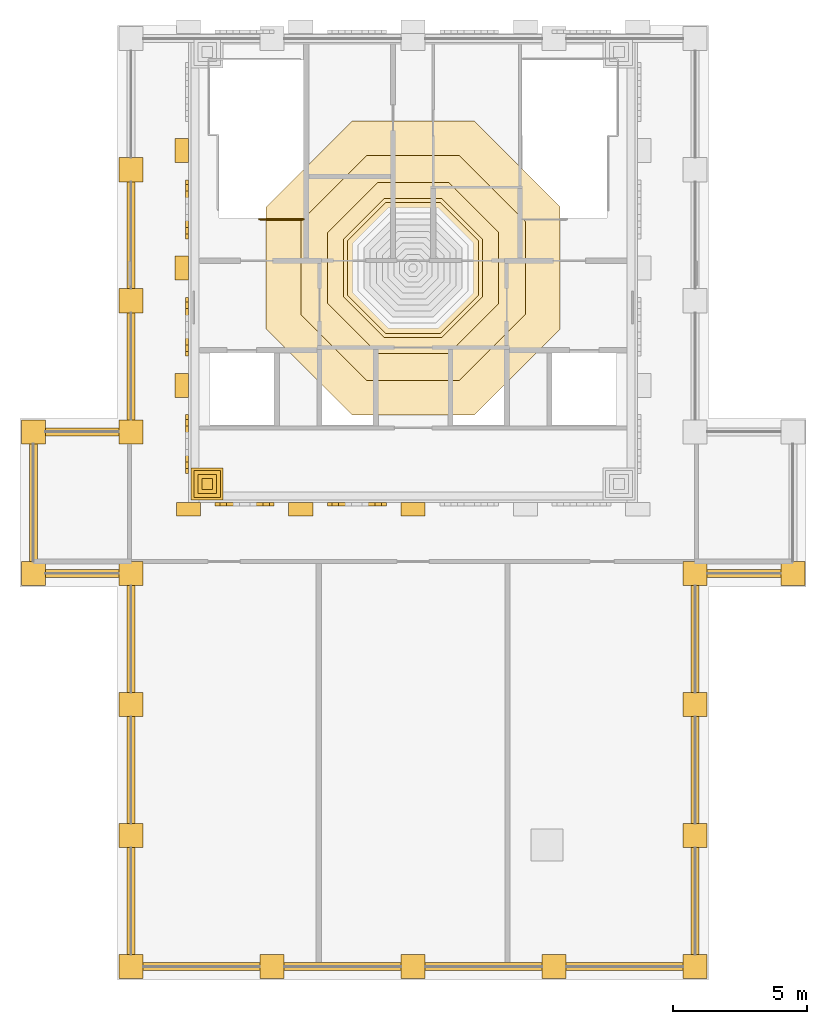
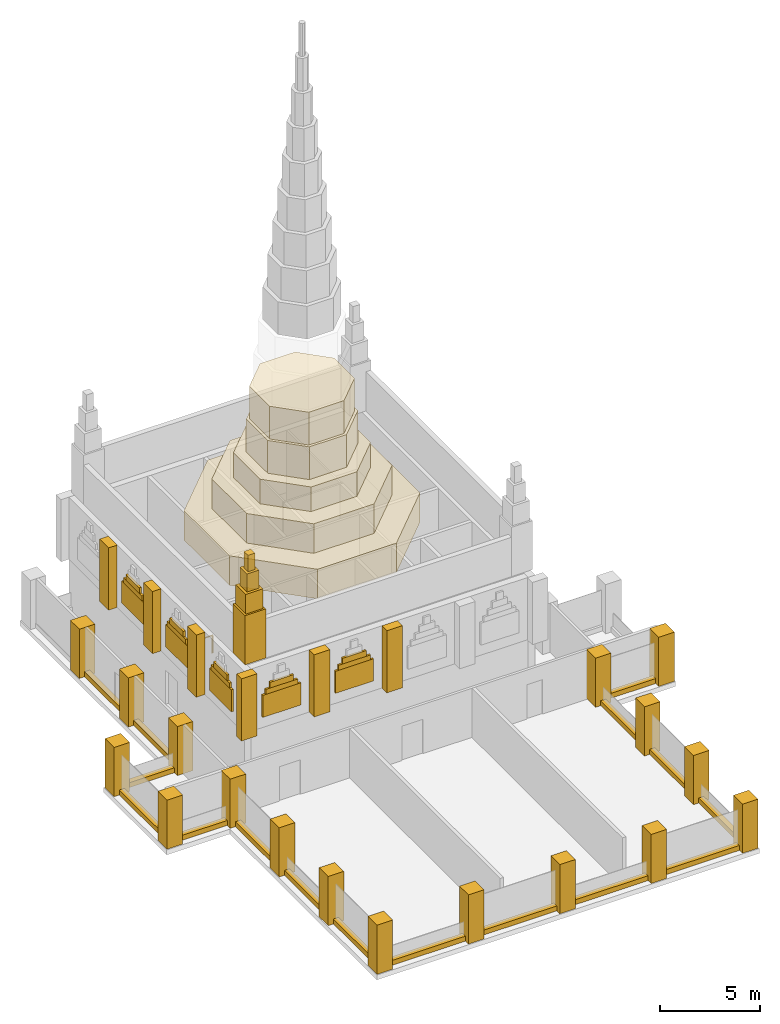
# One storey, part 3 of 6: 63 coverings, 2 railings.
"""IFC4 building model written with IfcOpenShell, lengths in metres."""

from ifc_helpers import new_model, si_unit, direction, frame, origin, origin_2d, place, context, subcontext, project, spatial, polyline, rectangle, outline, extrude, material, type_object, element, save


model = new_model("IFC4")

# Units and contexts
model_context = context("Model", 3, precision=1e-05, world=origin(), true_north=direction((0.0, 1.0)))
body_context = subcontext(model_context, "Body", "Model", "MODEL_VIEW")
ifc_project = project(units=[si_unit("LENGTHUNIT", "METRE"), si_unit("AREAUNIT", "SQUARE_METRE"), si_unit("VOLUMEUNIT", "CUBIC_METRE"), si_unit("PLANEANGLEUNIT", "RADIAN"), si_unit("MASSUNIT", "GRAM", prefix="KILO")], contexts=[model_context])

# Site, building, storey
site_placement = place(None, origin())
site = spatial("IfcSite", under=ifc_project, at=site_placement, CompositionType="ELEMENT")
building_placement = place(site_placement, origin())
building = spatial("IfcBuilding", under=site, at=building_placement, Name="Vermilion Ogive Tower", CompositionType="ELEMENT")
storey_placement = place(building_placement, frame((0.0, 0.0, 302.85009765625)))
storey = spatial("IfcBuildingStorey", under=building, at=storey_placement, Name="RF", CompositionType="ELEMENT", Elevation=302.85009765625)

# Coverings
ifc_material_1 = material(Name="Stone cladding", Category="masonry")
covering_type_1 = type_object("IfcCoveringType", Name="Core buttress pier", PredefinedType="CLADDING", material=ifc_material_1)
covering_1_placement = place(storey_placement, frame((0.0, 0.0, 3.0)))
element("IfcCovering", 1, at=covering_1_placement, inside=storey, type_object=covering_type_1, Name="Buttress pier RF S1", PredefinedType="CLADDING", context=body_context, shape_type="SweptSolid", body=[
    extrude(outline(polyline([(-7.949951171875, 4.199951171875), (-8.85009765625, 4.199951171875), (-8.85009765625, 3.699951171875), (-7.949951171875, 3.699951171875), (-7.949951171875, 4.199951171875)])), origin(), (0.0, 0.0, 1.0), 3.7998046875),
])
covering_2_placement = place(storey_placement, frame((0.0, 0.0, 3.0)))
element("IfcCovering", 2, at=covering_2_placement, inside=storey, type_object=covering_type_1, Name="Buttress pier RF S2", PredefinedType="CLADDING", context=body_context, shape_type="SweptSolid", body=[
    extrude(outline(polyline([(-3.75, 4.199951171875), (-4.64990234375, 4.199951171875), (-4.64990234375, 3.699951171875), (-3.75, 3.699951171875), (-3.75, 4.199951171875)])), origin(), (0.0, 0.0, 1.0), 3.7998046875),
])
covering_3_placement = place(storey_placement, frame((0.0, 0.0, 3.0)))
element("IfcCovering", 3, at=covering_3_placement, inside=storey, type_object=covering_type_1, Name="Buttress pier RF S3", PredefinedType="CLADDING", context=body_context, shape_type="SweptSolid", body=[
    extrude(outline(polyline([(0.449951171875, 4.199951171875), (-0.449951171875, 4.199951171875), (-0.449951171875, 3.699951171875), (0.449951171875, 3.699951171875), (0.449951171875, 4.199951171875)])), origin(), (0.0, 0.0, 1.0), 3.7998046875),
])
covering_4_placement = place(storey_placement, frame((0.0, 0.0, 3.0)))
element("IfcCovering", 4, at=covering_4_placement, inside=storey, type_object=covering_type_1, Name="Buttress pier RF W1", PredefinedType="CLADDING", context=body_context, shape_type="SweptSolid", body=[
    extrude(outline(polyline([(-8.39990234375, 8.137451171875), (-8.39990234375, 9.03759765625), (-8.89990234375, 9.03759765625), (-8.89990234375, 8.137451171875), (-8.39990234375, 8.137451171875)])), origin(), (0.0, 0.0, 1.0), 3.7998046875),
])
covering_5_placement = place(storey_placement, frame((0.0, 0.0, 3.0)))
element("IfcCovering", 5, at=covering_5_placement, inside=storey, type_object=covering_type_1, Name="Buttress pier RF W2", PredefinedType="CLADDING", context=body_context, shape_type="SweptSolid", body=[
    extrude(outline(polyline([(-8.39990234375, 12.52490234375), (-8.39990234375, 13.425048828125), (-8.89990234375, 13.425048828125), (-8.89990234375, 12.52490234375), (-8.39990234375, 12.52490234375)])), origin(), (0.0, 0.0, 1.0), 3.7998046875),
])
covering_6_placement = place(storey_placement, frame((0.0, 0.0, 3.0)))
element("IfcCovering", 6, at=covering_6_placement, inside=storey, type_object=covering_type_1, Name="Buttress pier RF W3", PredefinedType="CLADDING", context=body_context, shape_type="SweptSolid", body=[
    extrude(outline(polyline([(-8.39990234375, 16.91259765625), (-8.39990234375, 17.8125), (-8.89990234375, 17.8125), (-8.89990234375, 16.91259765625), (-8.39990234375, 16.91259765625)])), origin(), (0.0, 0.0, 1.0), 3.7998046875),
])
ifc_material_2 = material(Name="Stone cladding", Category="masonry")
covering_type_2 = type_object("IfcCoveringType", Name="Crown spire", PredefinedType="CLADDING", material=ifc_material_2)
covering_7_placement = place(storey_placement, frame((0.0, 0.0, 7.099853515625)))
element("IfcCovering", 7, at=covering_7_placement, inside=storey, type_object=covering_type_2, Name="Crown spire plinth 1", PredefinedType="CLADDING", context=body_context, shape_type="SweptSolid", body=[
    extrude(outline(polyline([(5.5, 15.253173828125), (2.2783203125, 18.47509765625), (-2.2783203125, 18.47509765625), (-5.5, 15.253173828125), (-5.5, 10.69677734375), (-2.2783203125, 7.47509765625), (2.2783203125, 7.47509765625), (5.5, 10.69677734375), (5.5, 15.253173828125)])), origin(), (0.0, 0.0, 1.0), 1.800048828125),
])
covering_8_placement = place(storey_placement, frame((0.0, 0.0, 8.89990234375)))
element("IfcCovering", 8, at=covering_8_placement, inside=storey, type_object=covering_type_2, Name="Crown spire plinth 2", PredefinedType="CLADDING", context=body_context, shape_type="SweptSolid", body=[
    extrude(outline(polyline([(4.199951171875, 14.714599609375), (1.73974609375, 17.175048828125), (-1.73974609375, 17.175048828125), (-4.199951171875, 14.714599609375), (-4.199951171875, 11.2353515625), (-1.73974609375, 8.77490234375), (1.73974609375, 8.77490234375), (4.199951171875, 11.2353515625), (4.199951171875, 14.714599609375)])), origin(), (0.0, 0.0, 1.0), 1.800048828125),
])
covering_9_placement = place(storey_placement, frame((0.0, 0.0, 10.699951171875)))
element("IfcCovering", 9, at=covering_9_placement, inside=storey, type_object=covering_type_2, Name="Crown spire plinth 3", PredefinedType="CLADDING", context=body_context, shape_type="SweptSolid", body=[
    extrude(outline(polyline([(3.199951171875, 14.300537109375), (1.325439453125, 16.175048828125), (-1.325439453125, 16.175048828125), (-3.199951171875, 14.300537109375), (-3.199951171875, 11.6494140625), (-1.325439453125, 9.77490234375), (1.325439453125, 9.77490234375), (3.199951171875, 11.6494140625), (3.199951171875, 14.300537109375)])), origin(), (0.0, 0.0, 1.0), 1.5),
])
covering_10_placement = place(storey_placement, frame((0.0, 0.0, 12.199951171875)))
element("IfcCovering", 10, at=covering_10_placement, inside=storey, type_object=covering_type_2, Name="Crown spire segment 1", PredefinedType="CLADDING", context=body_context, shape_type="SweptSolid", body=[
    extrude(outline(polyline([(2.60009765625, 14.052001953125), (1.076904296875, 15.574951171875), (-1.076904296875, 15.574951171875), (-2.60009765625, 14.052001953125), (-2.60009765625, 11.89794921875), (-1.076904296875, 10.375), (1.076904296875, 10.375), (2.60009765625, 11.89794921875), (2.60009765625, 14.052001953125)])), origin(), (0.0, 0.0, 1.0), 2.0),
])
covering_11_placement = place(storey_placement, frame((0.0, 0.0, 14.199951171875)))
element("IfcCovering", 11, at=covering_11_placement, inside=storey, type_object=covering_type_2, Name="Crown spire segment 2", PredefinedType="CLADDING", context=body_context, shape_type="SweptSolid", body=[
    extrude(outline(polyline([(2.449951171875, 13.98974609375), (1.014892578125, 15.425048828125), (-1.014892578125, 15.425048828125), (-2.449951171875, 13.98974609375), (-2.449951171875, 11.960205078125), (-1.014892578125, 10.52490234375), (1.014892578125, 10.52490234375), (2.449951171875, 11.960205078125), (2.449951171875, 13.98974609375)])), origin(), (0.0, 0.0, 1.0), 2.0),
])
ifc_material_3 = material(Name="Stone cladding", Category="masonry")
covering_type_3 = type_object("IfcCoveringType", Name="Lancet panel", PredefinedType="CLADDING", material=ifc_material_3)
covering_12_placement = place(storey_placement, frame((0.0, 0.0, 3.699951171875)))
element("IfcCovering", 12, at=covering_12_placement, inside=storey, type_object=covering_type_3, Name="Lancet panel RFS1A", PredefinedType="CLADDING", context=body_context, shape_type="SweptSolid", body=[
    extrude(outline(polyline([(-5.199951171875, 4.199951171875), (-7.39990234375, 4.199951171875), (-7.39990234375, 4.080078125), (-5.199951171875, 4.080078125), (-5.199951171875, 4.199951171875)])), origin(), (0.0, 0.0, 1.0), 1.349853515625),
])
covering_13_placement = place(storey_placement, frame((0.0, 0.0, 5.0498046875)))
element("IfcCovering", 13, at=covering_13_placement, inside=storey, type_object=covering_type_3, Name="Lancet panel RFS1B", PredefinedType="CLADDING", context=body_context, shape_type="SweptSolid", body=[
    extrude(outline(polyline([(-5.3759765625, 4.199951171875), (-7.22412109375, 4.199951171875), (-7.22412109375, 4.080078125), (-5.3759765625, 4.080078125), (-5.3759765625, 4.199951171875)])), origin(), (0.0, 0.0, 1.0), 0.300048828125),
])
covering_14_placement = place(storey_placement, frame((0.0, 0.0, 5.349853515625)))
element("IfcCovering", 14, at=covering_14_placement, inside=storey, type_object=covering_type_3, Name="Lancet panel RFS1C", PredefinedType="CLADDING", context=body_context, shape_type="SweptSolid", body=[
    extrude(outline(polyline([(-5.617919921875, 4.199951171875), (-6.98193359375, 4.199951171875), (-6.98193359375, 4.080078125), (-5.617919921875, 4.080078125), (-5.617919921875, 4.199951171875)])), origin(), (0.0, 0.0, 1.0), 0.35009765625),
])
covering_15_placement = place(storey_placement, frame((0.0, 0.0, 3.699951171875)))
element("IfcCovering", 15, at=covering_15_placement, inside=storey, type_object=covering_type_3, Name="Lancet panel RFS2A", PredefinedType="CLADDING", context=body_context, shape_type="SweptSolid", body=[
    extrude(outline(polyline([(-1.0, 4.199951171875), (-3.199951171875, 4.199951171875), (-3.199951171875, 4.080078125), (-1.0, 4.080078125), (-1.0, 4.199951171875)])), origin(), (0.0, 0.0, 1.0), 1.349853515625),
])
covering_16_placement = place(storey_placement, frame((0.0, 0.0, 5.0498046875)))
element("IfcCovering", 16, at=covering_16_placement, inside=storey, type_object=covering_type_3, Name="Lancet panel RFS2B", PredefinedType="CLADDING", context=body_context, shape_type="SweptSolid", body=[
    extrude(outline(polyline([(-1.176025390625, 4.199951171875), (-3.02392578125, 4.199951171875), (-3.02392578125, 4.080078125), (-1.176025390625, 4.080078125), (-1.176025390625, 4.199951171875)])), origin(), (0.0, 0.0, 1.0), 0.300048828125),
])
covering_17_placement = place(storey_placement, frame((0.0, 0.0, 5.349853515625)))
element("IfcCovering", 17, at=covering_17_placement, inside=storey, type_object=covering_type_3, Name="Lancet panel RFS2C", PredefinedType="CLADDING", context=body_context, shape_type="SweptSolid", body=[
    extrude(outline(polyline([(-1.41796875, 4.199951171875), (-2.781982421875, 4.199951171875), (-2.781982421875, 4.080078125), (-1.41796875, 4.080078125), (-1.41796875, 4.199951171875)])), origin(), (0.0, 0.0, 1.0), 0.35009765625),
])
covering_18_placement = place(storey_placement, frame((0.0, 0.0, 3.699951171875)))
element("IfcCovering", 18, at=covering_18_placement, inside=storey, type_object=covering_type_3, Name="Lancet panel RFW1A", PredefinedType="CLADDING", context=body_context, shape_type="SweptSolid", body=[
    extrude(outline(polyline([(-8.39990234375, 5.293701171875), (-8.39990234375, 7.493896484375), (-8.52001953125, 7.493896484375), (-8.52001953125, 5.293701171875), (-8.39990234375, 5.293701171875)])), origin(), (0.0, 0.0, 1.0), 1.349853515625),
])
covering_19_placement = place(storey_placement, frame((0.0, 0.0, 5.0498046875)))
element("IfcCovering", 19, at=covering_19_placement, inside=storey, type_object=covering_type_3, Name="Lancet panel RFW1B", PredefinedType="CLADDING", context=body_context, shape_type="SweptSolid", body=[
    extrude(outline(polyline([(-8.39990234375, 5.4697265625), (-8.39990234375, 7.31787109375), (-8.52001953125, 7.31787109375), (-8.52001953125, 5.4697265625), (-8.39990234375, 5.4697265625)])), origin(), (0.0, 0.0, 1.0), 0.300048828125),
])
covering_20_placement = place(storey_placement, frame((0.0, 0.0, 5.349853515625)))
element("IfcCovering", 20, at=covering_20_placement, inside=storey, type_object=covering_type_3, Name="Lancet panel RFW1C", PredefinedType="CLADDING", context=body_context, shape_type="SweptSolid", body=[
    extrude(outline(polyline([(-8.39990234375, 5.7119140625), (-8.39990234375, 7.07568359375), (-8.52001953125, 7.07568359375), (-8.52001953125, 5.7119140625), (-8.39990234375, 5.7119140625)])), origin(), (0.0, 0.0, 1.0), 0.35009765625),
])
covering_21_placement = place(storey_placement, frame((0.0, 0.0, 3.699951171875)))
element("IfcCovering", 21, at=covering_21_placement, inside=storey, type_object=covering_type_3, Name="Lancet panel RFW2A", PredefinedType="CLADDING", context=body_context, shape_type="SweptSolid", body=[
    extrude(outline(polyline([(-8.39990234375, 9.681396484375), (-8.39990234375, 11.881103515625), (-8.52001953125, 11.881103515625), (-8.52001953125, 9.681396484375), (-8.39990234375, 9.681396484375)])), origin(), (0.0, 0.0, 1.0), 1.349853515625),
])
covering_22_placement = place(storey_placement, frame((0.0, 0.0, 5.0498046875)))
element("IfcCovering", 22, at=covering_22_placement, inside=storey, type_object=covering_type_3, Name="Lancet panel RFW2B", PredefinedType="CLADDING", context=body_context, shape_type="SweptSolid", body=[
    extrude(outline(polyline([(-8.39990234375, 9.857421875), (-8.39990234375, 11.705078125), (-8.52001953125, 11.705078125), (-8.52001953125, 9.857421875), (-8.39990234375, 9.857421875)])), origin(), (0.0, 0.0, 1.0), 0.300048828125),
])
covering_23_placement = place(storey_placement, frame((0.0, 0.0, 5.349853515625)))
element("IfcCovering", 23, at=covering_23_placement, inside=storey, type_object=covering_type_3, Name="Lancet panel RFW2C", PredefinedType="CLADDING", context=body_context, shape_type="SweptSolid", body=[
    extrude(outline(polyline([(-8.39990234375, 10.09912109375), (-8.39990234375, 11.46337890625), (-8.52001953125, 11.46337890625), (-8.52001953125, 10.09912109375), (-8.39990234375, 10.09912109375)])), origin(), (0.0, 0.0, 1.0), 0.35009765625),
])
covering_24_placement = place(storey_placement, frame((0.0, 0.0, 3.699951171875)))
element("IfcCovering", 24, at=covering_24_placement, inside=storey, type_object=covering_type_3, Name="Lancet panel RFW3A", PredefinedType="CLADDING", context=body_context, shape_type="SweptSolid", body=[
    extrude(outline(polyline([(-8.39990234375, 14.06884765625), (-8.39990234375, 16.268798828125), (-8.52001953125, 16.268798828125), (-8.52001953125, 14.06884765625), (-8.39990234375, 14.06884765625)])), origin(), (0.0, 0.0, 1.0), 1.349853515625),
])
covering_25_placement = place(storey_placement, frame((0.0, 0.0, 5.0498046875)))
element("IfcCovering", 25, at=covering_25_placement, inside=storey, type_object=covering_type_3, Name="Lancet panel RFW3B", PredefinedType="CLADDING", context=body_context, shape_type="SweptSolid", body=[
    extrude(outline(polyline([(-8.39990234375, 14.244873046875), (-8.39990234375, 16.0927734375), (-8.52001953125, 16.0927734375), (-8.52001953125, 14.244873046875), (-8.39990234375, 14.244873046875)])), origin(), (0.0, 0.0, 1.0), 0.300048828125),
])
covering_26_placement = place(storey_placement, frame((0.0, 0.0, 5.349853515625)))
element("IfcCovering", 26, at=covering_26_placement, inside=storey, type_object=covering_type_3, Name="Lancet panel RFW3C", PredefinedType="CLADDING", context=body_context, shape_type="SweptSolid", body=[
    extrude(outline(polyline([(-8.39990234375, 14.48681640625), (-8.39990234375, 15.850830078125), (-8.52001953125, 15.850830078125), (-8.52001953125, 14.48681640625), (-8.39990234375, 14.48681640625)])), origin(), (0.0, 0.0, 1.0), 0.35009765625),
])
ifc_material_4 = material(Name="Stone cladding", Category="masonry")
covering_type_4 = type_object("IfcCoveringType", Name="Parapet kerb", PredefinedType="CLADDING", material=ifc_material_4)
covering_27_placement = place(storey_placement, origin())
element("IfcCovering", 27, at=covering_27_placement, inside=storey, type_object=covering_type_4, Name="Parapet kerb 1.1", PredefinedType="CLADDING", context=body_context, shape_type="SweptSolid", body=[
    extrude(outline(polyline([(-10.39990234375, -12.699951171875), (-10.39990234375, -8.699951171875), (-10.699951171875, -8.699951171875), (-10.699951171875, -12.699951171875), (-10.39990234375, -12.699951171875)])), origin(), (0.0, 0.0, 1.0), 0.2998046875),
])
covering_28_placement = place(storey_placement, origin())
element("IfcCovering", 28, at=covering_28_placement, inside=storey, type_object=covering_type_4, Name="Parapet kerb 1.2", PredefinedType="CLADDING", context=body_context, shape_type="SweptSolid", body=[
    extrude(outline(polyline([(-10.39990234375, -7.800048828125), (-10.39990234375, -3.800048828125), (-10.699951171875, -3.800048828125), (-10.699951171875, -7.800048828125), (-10.39990234375, -7.800048828125)])), origin(), (0.0, 0.0, 1.0), 0.2998046875),
])
covering_29_placement = place(storey_placement, origin())
element("IfcCovering", 29, at=covering_29_placement, inside=storey, type_object=covering_type_4, Name="Parapet kerb 1.3", PredefinedType="CLADDING", context=body_context, shape_type="SweptSolid", body=[
    extrude(outline(polyline([(-10.39990234375, -2.89990234375), (-10.39990234375, 1.10009765625), (-10.699951171875, 1.10009765625), (-10.699951171875, -2.89990234375), (-10.39990234375, -2.89990234375)])), origin(), (0.0, 0.0, 1.0), 0.2998046875),
])
covering_30_placement = place(storey_placement, origin())
element("IfcCovering", 30, at=covering_30_placement, inside=storey, type_object=covering_type_4, Name="Parapet kerb 2.1", PredefinedType="CLADDING", context=body_context, shape_type="SweptSolid", body=[
    extrude(outline(polyline([(-11.0, 1.699951171875), (-13.75, 1.699951171875), (-13.75, 1.39990234375), (-11.0, 1.39990234375), (-11.0, 1.699951171875)])), origin(), (0.0, 0.0, 1.0), 0.2998046875),
])
covering_31_placement = place(storey_placement, origin())
element("IfcCovering", 31, at=covering_31_placement, inside=storey, type_object=covering_type_4, Name="Parapet kerb 3.1", PredefinedType="CLADDING", context=body_context, shape_type="SweptSolid", body=[
    extrude(outline(polyline([(-14.050048828125, 2.0), (-14.050048828125, 6.39990234375), (-14.35009765625, 6.39990234375), (-14.35009765625, 2.0), (-14.050048828125, 2.0)])), origin(), (0.0, 0.0, 1.0), 0.2998046875),
])
covering_32_placement = place(storey_placement, origin())
element("IfcCovering", 32, at=covering_32_placement, inside=storey, type_object=covering_type_4, Name="Parapet kerb 4.1", PredefinedType="CLADDING", context=body_context, shape_type="SweptSolid", body=[
    extrude(outline(polyline([(-13.75, 6.699951171875), (-11.0, 6.699951171875), (-11.0, 7.0), (-13.75, 7.0), (-13.75, 6.699951171875)])), origin(), (0.0, 0.0, 1.0), 0.2998046875),
])
covering_33_placement = place(storey_placement, origin())
element("IfcCovering", 33, at=covering_33_placement, inside=storey, type_object=covering_type_4, Name="Parapet kerb 5.1", PredefinedType="CLADDING", context=body_context, shape_type="SweptSolid", body=[
    extrude(outline(polyline([(-10.39990234375, 7.300048828125), (-10.39990234375, 11.300048828125), (-10.699951171875, 11.300048828125), (-10.699951171875, 7.300048828125), (-10.39990234375, 7.300048828125)])), origin(), (0.0, 0.0, 1.0), 0.2998046875),
])
covering_34_placement = place(storey_placement, origin())
element("IfcCovering", 34, at=covering_34_placement, inside=storey, type_object=covering_type_4, Name="Parapet kerb 5.2", PredefinedType="CLADDING", context=body_context, shape_type="SweptSolid", body=[
    extrude(outline(polyline([(-10.39990234375, 12.199951171875), (-10.39990234375, 16.199951171875), (-10.699951171875, 16.199951171875), (-10.699951171875, 12.199951171875), (-10.39990234375, 12.199951171875)])), origin(), (0.0, 0.0, 1.0), 0.2998046875),
])
covering_35_placement = place(storey_placement, origin())
element("IfcCovering", 35, at=covering_35_placement, inside=storey, type_object=covering_type_4, Name="Parapet kerb 10.1", PredefinedType="CLADDING", context=body_context, shape_type="SweptSolid", body=[
    extrude(outline(polyline([(13.75, 1.699951171875), (11.0, 1.699951171875), (11.0, 1.39990234375), (13.75, 1.39990234375), (13.75, 1.699951171875)])), origin(), (0.0, 0.0, 1.0), 0.2998046875),
])
covering_36_placement = place(storey_placement, origin())
element("IfcCovering", 36, at=covering_36_placement, inside=storey, type_object=covering_type_4, Name="Parapet kerb 11.1", PredefinedType="CLADDING", context=body_context, shape_type="SweptSolid", body=[
    extrude(outline(polyline([(10.39990234375, 1.10009765625), (10.39990234375, -2.89990234375), (10.699951171875, -2.89990234375), (10.699951171875, 1.10009765625), (10.39990234375, 1.10009765625)])), origin(), (0.0, 0.0, 1.0), 0.2998046875),
])
covering_37_placement = place(storey_placement, origin())
element("IfcCovering", 37, at=covering_37_placement, inside=storey, type_object=covering_type_4, Name="Parapet kerb 11.2", PredefinedType="CLADDING", context=body_context, shape_type="SweptSolid", body=[
    extrude(outline(polyline([(10.39990234375, -3.800048828125), (10.39990234375, -7.800048828125), (10.699951171875, -7.800048828125), (10.699951171875, -3.800048828125), (10.39990234375, -3.800048828125)])), origin(), (0.0, 0.0, 1.0), 0.2998046875),
])
covering_38_placement = place(storey_placement, origin())
element("IfcCovering", 38, at=covering_38_placement, inside=storey, type_object=covering_type_4, Name="Parapet kerb 11.3", PredefinedType="CLADDING", context=body_context, shape_type="SweptSolid", body=[
    extrude(outline(polyline([(10.39990234375, -8.699951171875), (10.39990234375, -12.699951171875), (10.699951171875, -12.699951171875), (10.699951171875, -8.699951171875), (10.39990234375, -8.699951171875)])), origin(), (0.0, 0.0, 1.0), 0.2998046875),
])
covering_39_placement = place(storey_placement, origin())
element("IfcCovering", 39, at=covering_39_placement, inside=storey, type_object=covering_type_4, Name="Parapet kerb 12.1", PredefinedType="CLADDING", context=body_context, shape_type="SweptSolid", body=[
    extrude(outline(polyline([(10.10009765625, -13.0), (5.72509765625, -13.0), (5.72509765625, -13.300048828125), (10.10009765625, -13.300048828125), (10.10009765625, -13.0)])), origin(), (0.0, 0.0, 1.0), 0.2998046875),
])
covering_40_placement = place(storey_placement, origin())
element("IfcCovering", 40, at=covering_40_placement, inside=storey, type_object=covering_type_4, Name="Parapet kerb 12.2", PredefinedType="CLADDING", context=body_context, shape_type="SweptSolid", body=[
    extrude(outline(polyline([(4.824951171875, -13.0), (0.449951171875, -13.0), (0.449951171875, -13.300048828125), (4.824951171875, -13.300048828125), (4.824951171875, -13.0)])), origin(), (0.0, 0.0, 1.0), 0.2998046875),
])
covering_41_placement = place(storey_placement, origin())
element("IfcCovering", 41, at=covering_41_placement, inside=storey, type_object=covering_type_4, Name="Parapet kerb 12.3", PredefinedType="CLADDING", context=body_context, shape_type="SweptSolid", body=[
    extrude(outline(polyline([(-0.449951171875, -13.0), (-4.824951171875, -13.0), (-4.824951171875, -13.300048828125), (-0.449951171875, -13.300048828125), (-0.449951171875, -13.0)])), origin(), (0.0, 0.0, 1.0), 0.2998046875),
])
covering_42_placement = place(storey_placement, origin())
element("IfcCovering", 42, at=covering_42_placement, inside=storey, type_object=covering_type_4, Name="Parapet kerb 12.4", PredefinedType="CLADDING", context=body_context, shape_type="SweptSolid", body=[
    extrude(outline(polyline([(-5.72509765625, -13.0), (-10.10009765625, -13.0), (-10.10009765625, -13.300048828125), (-5.72509765625, -13.300048828125), (-5.72509765625, -13.0)])), origin(), (0.0, 0.0, 1.0), 0.2998046875),
])
ifc_material_5 = material(Name="Stone cladding", Category="masonry")
covering_type_5 = type_object("IfcCoveringType", Name="Parapet pier", PredefinedType="CLADDING", material=ifc_material_5)
covering_43_placement = place(storey_placement, origin())
element("IfcCovering", 43, at=covering_43_placement, inside=storey, type_object=covering_type_5, Name="Parapet pier 1.1", PredefinedType="CLADDING", context=body_context, shape_type="SweptSolid", body=[
    extrude(outline(polyline([(-11.0, -13.60009765625), (-10.10009765625, -13.60009765625), (-10.10009765625, -12.699951171875), (-11.0, -12.699951171875), (-11.0, -13.60009765625)])), origin(), (0.0, 0.0, 1.0), 3.0),
])
covering_44_placement = place(storey_placement, origin())
element("IfcCovering", 44, at=covering_44_placement, inside=storey, type_object=covering_type_5, Name="Parapet pier 1.2", PredefinedType="CLADDING", context=body_context, shape_type="SweptSolid", body=[
    extrude(outline(polyline([(-11.0, -8.699951171875), (-10.10009765625, -8.699951171875), (-10.10009765625, -7.800048828125), (-11.0, -7.800048828125), (-11.0, -8.699951171875)])), origin(), (0.0, 0.0, 1.0), 3.0),
])
covering_45_placement = place(storey_placement, origin())
element("IfcCovering", 45, at=covering_45_placement, inside=storey, type_object=covering_type_5, Name="Parapet pier 1.3", PredefinedType="CLADDING", context=body_context, shape_type="SweptSolid", body=[
    extrude(outline(polyline([(-11.0, -3.800048828125), (-10.10009765625, -3.800048828125), (-10.10009765625, -2.89990234375), (-11.0, -2.89990234375), (-11.0, -3.800048828125)])), origin(), (0.0, 0.0, 1.0), 3.0),
])
covering_46_placement = place(storey_placement, origin())
element("IfcCovering", 46, at=covering_46_placement, inside=storey, type_object=covering_type_5, Name="Parapet pier 2.1", PredefinedType="CLADDING", context=body_context, shape_type="SweptSolid", body=[
    extrude(outline(polyline([(-11.0, 1.10009765625), (-10.10009765625, 1.10009765625), (-10.10009765625, 2.0), (-11.0, 2.0), (-11.0, 1.10009765625)])), origin(), (0.0, 0.0, 1.0), 3.0),
])
covering_47_placement = place(storey_placement, origin())
element("IfcCovering", 47, at=covering_47_placement, inside=storey, type_object=covering_type_5, Name="Parapet pier 3.1", PredefinedType="CLADDING", context=body_context, shape_type="SweptSolid", body=[
    extrude(outline(polyline([(-14.64990234375, 1.10009765625), (-13.75, 1.10009765625), (-13.75, 2.0), (-14.64990234375, 2.0), (-14.64990234375, 1.10009765625)])), origin(), (0.0, 0.0, 1.0), 3.0),
])
covering_48_placement = place(storey_placement, origin())
element("IfcCovering", 48, at=covering_48_placement, inside=storey, type_object=covering_type_5, Name="Parapet pier 4.1", PredefinedType="CLADDING", context=body_context, shape_type="SweptSolid", body=[
    extrude(outline(polyline([(-14.64990234375, 6.39990234375), (-13.75, 6.39990234375), (-13.75, 7.300048828125), (-14.64990234375, 7.300048828125), (-14.64990234375, 6.39990234375)])), origin(), (0.0, 0.0, 1.0), 3.0),
])
covering_49_placement = place(storey_placement, origin())
element("IfcCovering", 49, at=covering_49_placement, inside=storey, type_object=covering_type_5, Name="Parapet pier 5.1", PredefinedType="CLADDING", context=body_context, shape_type="SweptSolid", body=[
    extrude(outline(polyline([(-11.0, 6.39990234375), (-10.10009765625, 6.39990234375), (-10.10009765625, 7.300048828125), (-11.0, 7.300048828125), (-11.0, 6.39990234375)])), origin(), (0.0, 0.0, 1.0), 3.0),
])
covering_50_placement = place(storey_placement, origin())
element("IfcCovering", 50, at=covering_50_placement, inside=storey, type_object=covering_type_5, Name="Parapet pier 5.2", PredefinedType="CLADDING", context=body_context, shape_type="SweptSolid", body=[
    extrude(outline(polyline([(-11.0, 11.300048828125), (-10.10009765625, 11.300048828125), (-10.10009765625, 12.199951171875), (-11.0, 12.199951171875), (-11.0, 11.300048828125)])), origin(), (0.0, 0.0, 1.0), 3.0),
])
covering_51_placement = place(storey_placement, origin())
element("IfcCovering", 51, at=covering_51_placement, inside=storey, type_object=covering_type_5, Name="Parapet pier 5.3", PredefinedType="CLADDING", context=body_context, shape_type="SweptSolid", body=[
    extrude(outline(polyline([(-11.0, 16.199951171875), (-10.10009765625, 16.199951171875), (-10.10009765625, 17.10009765625), (-11.0, 17.10009765625), (-11.0, 16.199951171875)])), origin(), (0.0, 0.0, 1.0), 3.0),
])
covering_52_placement = place(storey_placement, origin())
element("IfcCovering", 52, at=covering_52_placement, inside=storey, type_object=covering_type_5, Name="Parapet pier 10.1", PredefinedType="CLADDING", context=body_context, shape_type="SweptSolid", body=[
    extrude(outline(polyline([(13.75, 1.10009765625), (14.64990234375, 1.10009765625), (14.64990234375, 2.0), (13.75, 2.0), (13.75, 1.10009765625)])), origin(), (0.0, 0.0, 1.0), 3.0),
])
covering_53_placement = place(storey_placement, origin())
element("IfcCovering", 53, at=covering_53_placement, inside=storey, type_object=covering_type_5, Name="Parapet pier 11.1", PredefinedType="CLADDING", context=body_context, shape_type="SweptSolid", body=[
    extrude(outline(polyline([(10.10009765625, 1.10009765625), (11.0, 1.10009765625), (11.0, 2.0), (10.10009765625, 2.0), (10.10009765625, 1.10009765625)])), origin(), (0.0, 0.0, 1.0), 3.0),
])
covering_54_placement = place(storey_placement, origin())
element("IfcCovering", 54, at=covering_54_placement, inside=storey, type_object=covering_type_5, Name="Parapet pier 11.2", PredefinedType="CLADDING", context=body_context, shape_type="SweptSolid", body=[
    extrude(outline(polyline([(10.10009765625, -3.800048828125), (11.0, -3.800048828125), (11.0, -2.89990234375), (10.10009765625, -2.89990234375), (10.10009765625, -3.800048828125)])), origin(), (0.0, 0.0, 1.0), 3.0),
])
covering_55_placement = place(storey_placement, origin())
element("IfcCovering", 55, at=covering_55_placement, inside=storey, type_object=covering_type_5, Name="Parapet pier 11.3", PredefinedType="CLADDING", context=body_context, shape_type="SweptSolid", body=[
    extrude(outline(polyline([(10.10009765625, -8.699951171875), (11.0, -8.699951171875), (11.0, -7.800048828125), (10.10009765625, -7.800048828125), (10.10009765625, -8.699951171875)])), origin(), (0.0, 0.0, 1.0), 3.0),
])
covering_56_placement = place(storey_placement, origin())
element("IfcCovering", 56, at=covering_56_placement, inside=storey, type_object=covering_type_5, Name="Parapet pier 12.1", PredefinedType="CLADDING", context=body_context, shape_type="SweptSolid", body=[
    extrude(outline(polyline([(10.10009765625, -13.60009765625), (11.0, -13.60009765625), (11.0, -12.699951171875), (10.10009765625, -12.699951171875), (10.10009765625, -13.60009765625)])), origin(), (0.0, 0.0, 1.0), 3.0),
])
covering_57_placement = place(storey_placement, origin())
element("IfcCovering", 57, at=covering_57_placement, inside=storey, type_object=covering_type_5, Name="Parapet pier 12.2", PredefinedType="CLADDING", context=body_context, shape_type="SweptSolid", body=[
    extrude(outline(polyline([(4.824951171875, -13.60009765625), (5.72509765625, -13.60009765625), (5.72509765625, -12.699951171875), (4.824951171875, -12.699951171875), (4.824951171875, -13.60009765625)])), origin(), (0.0, 0.0, 1.0), 3.0),
])
covering_58_placement = place(storey_placement, origin())
element("IfcCovering", 58, at=covering_58_placement, inside=storey, type_object=covering_type_5, Name="Parapet pier 12.3", PredefinedType="CLADDING", context=body_context, shape_type="SweptSolid", body=[
    extrude(outline(polyline([(-0.449951171875, -13.60009765625), (0.449951171875, -13.60009765625), (0.449951171875, -12.699951171875), (-0.449951171875, -12.699951171875), (-0.449951171875, -13.60009765625)])), origin(), (0.0, 0.0, 1.0), 3.0),
])
covering_59_placement = place(storey_placement, origin())
element("IfcCovering", 59, at=covering_59_placement, inside=storey, type_object=covering_type_5, Name="Parapet pier 12.4", PredefinedType="CLADDING", context=body_context, shape_type="SweptSolid", body=[
    extrude(outline(polyline([(-5.72509765625, -13.60009765625), (-4.824951171875, -13.60009765625), (-4.824951171875, -12.699951171875), (-5.72509765625, -12.699951171875), (-5.72509765625, -13.60009765625)])), origin(), (0.0, 0.0, 1.0), 3.0),
])

# Railings
ifc_material_6 = material(Name="Steel S355 painted", Category="steel")
railing_type = type_object("IfcRailingType", Name="Stair guard 1100", PredefinedType="GUARDRAIL", material=ifc_material_6)
railing_1_placement = place(storey_placement, frame((-4.10009765625, 14.800048828125, 0.0)))
element("IfcRailing", 60, at=railing_1_placement, inside=storey, type_object=railing_type, Name="RF ST1 top well guard 1", PredefinedType="GUARDRAIL", context=body_context, shape_type="SweptSolid", body=[
    extrude(rectangle(XDim=0.048095703125, YDim=0.048095703125, at=origin_2d()), frame((0.0, 0.0, 1.076171875), z_axis=(-1.0, 0.0, 0.0), x_axis=(0.0, -1.0, 0.0)), (0.0, 0.0, 1.0), 1.64990234375),
    extrude(rectangle(XDim=0.0419921875, YDim=0.0419921875, at=origin_2d()), origin(), (0.0, 0.0, 1.0), 1.052001953125),
    extrude(rectangle(XDim=0.0419921875, YDim=0.0419921875, at=origin_2d()), frame((-0.824951171875, 0.0, 0.0)), (0.0, 0.0, 1.0), 1.052001953125),
    extrude(rectangle(XDim=0.0419921875, YDim=0.0419921875, at=origin_2d()), frame((-1.64990234375, 0.0, 0.0)), (0.0, 0.0, 1.0), 1.052001953125),
])
railing_2_placement = place(storey_placement, frame((-4.159912109375, 14.7900390625, 0.0)))
element("IfcRailing", 61, at=railing_2_placement, inside=storey, type_object=railing_type, Name="RF stair opening guard", PredefinedType="GUARDRAIL", context=body_context, shape_type="SweptSolid", body=[
    extrude(rectangle(XDim=0.048095703125, YDim=0.048095703125, at=origin_2d()), frame((0.0, 0.0, 1.076171875), z_axis=(-1.0, 0.0, 0.0), x_axis=(0.0, -1.0, 0.0)), (0.0, 0.0, 1.0), 1.5400390625),
    extrude(rectangle(XDim=0.0419921875, YDim=0.0419921875, at=origin_2d()), origin(), (0.0, 0.0, 1.0), 1.052001953125),
    extrude(rectangle(XDim=0.0419921875, YDim=0.0419921875, at=origin_2d()), frame((-0.77001953125, 0.0, 0.0)), (0.0, 0.0, 1.0), 1.052001953125),
    extrude(rectangle(XDim=0.0419921875, YDim=0.0419921875, at=origin_2d()), frame((-1.5400390625, 0.0, 0.0)), (0.0, 0.0, 1.0), 1.052001953125),
])

# Coverings
ifc_material_7 = material(Name="Stone cladding", Category="masonry")
covering_type_6 = type_object("IfcCoveringType", Name="Stone pinnacle", PredefinedType="CLADDING", material=ifc_material_7)
covering_60_placement = place(storey_placement, frame((0.0, 0.0, 7.099853515625)))
element("IfcCovering", 62, at=covering_60_placement, inside=storey, type_object=covering_type_6, Name="Stone pinnacle RFH1A", PredefinedType="CLADDING", context=body_context, shape_type="SweptSolid", body=[
    extrude(outline(polyline([(-8.300048828125, 4.300048828125), (-7.10009765625, 4.300048828125), (-7.10009765625, 5.5), (-8.300048828125, 5.5), (-8.300048828125, 4.300048828125)])), origin(), (0.0, 0.0, 1.0), 3.0),
])
covering_61_placement = place(storey_placement, frame((0.0, 0.0, 10.099853515625)))
element("IfcCovering", 63, at=covering_61_placement, inside=storey, type_object=covering_type_6, Name="Stone pinnacle RFH1B", PredefinedType="CLADDING", context=body_context, shape_type="SweptSolid", body=[
    extrude(outline(polyline([(-8.199951171875, 4.39990234375), (-7.199951171875, 4.39990234375), (-7.199951171875, 5.39990234375), (-8.199951171875, 5.39990234375), (-8.199951171875, 4.39990234375)])), origin(), (0.0, 0.0, 1.0), 1.199951171875),
])
covering_62_placement = place(storey_placement, frame((0.0, 0.0, 11.2998046875)))
element("IfcCovering", 64, at=covering_62_placement, inside=storey, type_object=covering_type_6, Name="Stone pinnacle RFH1C", PredefinedType="CLADDING", context=body_context, shape_type="SweptSolid", body=[
    extrude(outline(polyline([(-8.050048828125, 4.550048828125), (-7.35009765625, 4.550048828125), (-7.35009765625, 5.25), (-8.050048828125, 5.25), (-8.050048828125, 4.550048828125)])), origin(), (0.0, 0.0, 1.0), 1.10009765625),
])
covering_63_placement = place(storey_placement, frame((0.0, 0.0, 12.39990234375)))
element("IfcCovering", 65, at=covering_63_placement, inside=storey, type_object=covering_type_6, Name="Stone pinnacle RFH1D", PredefinedType="CLADDING", context=body_context, shape_type="SweptSolid", body=[
    extrude(outline(polyline([(-7.89990234375, 4.699951171875), (-7.5, 4.699951171875), (-7.5, 5.10009765625), (-7.89990234375, 5.10009765625), (-7.89990234375, 4.699951171875)])), origin(), (0.0, 0.0, 1.0), 1.0),
])

save(model, "model.ifc")
